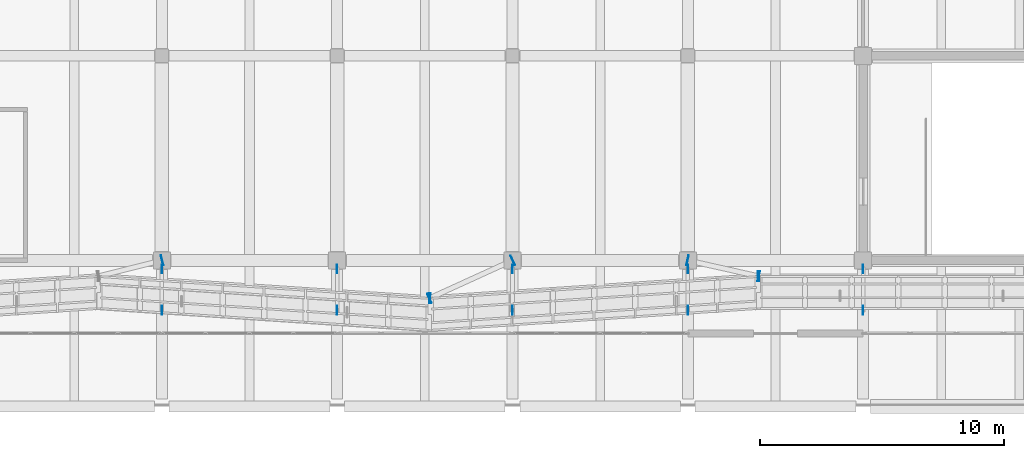
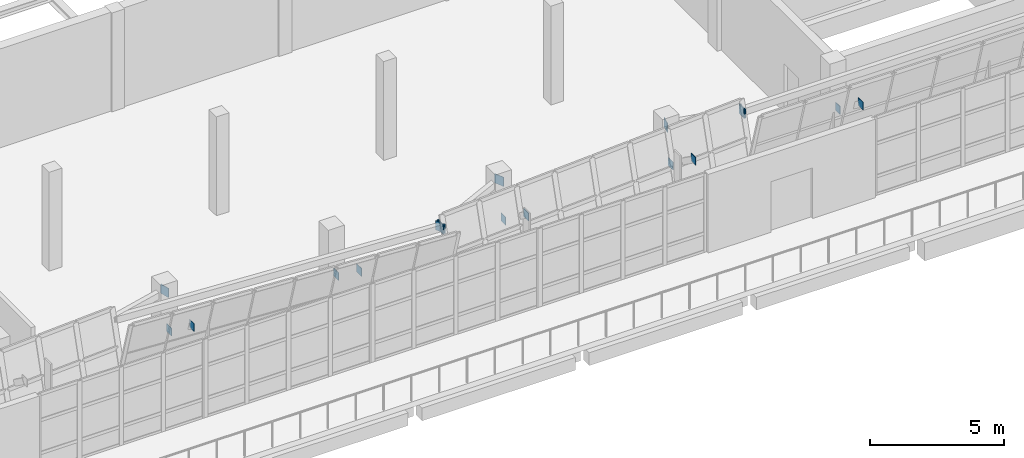
# One storey, part 47 of 67: 19 plates.
"""IFC4 building model written with IfcOpenShell, lengths in metres."""

from ifc_helpers import new_model, si_unit, direction, frame, origin, origin_2d, place, context, subcontext, project, spatial, rectangle, extrude, material, layer, layer_set, type_object, element, save


model = new_model("IFC4")

# Units and contexts
model_context = context("Model", 3, precision=1e-05, world=origin(), true_north=direction((0.0, 1.0)))
body_context = subcontext(model_context, "Body", "Model", "MODEL_VIEW")
ifc_project = project(units=[si_unit("LENGTHUNIT", "METRE"), si_unit("AREAUNIT", "SQUARE_METRE"), si_unit("VOLUMEUNIT", "CUBIC_METRE"), si_unit("PLANEANGLEUNIT", "RADIAN"), si_unit("MASSUNIT", "GRAM", prefix="KILO")], contexts=[model_context])

# Site, building, storey
site_placement = place(None, origin())
site = spatial("IfcSite", under=ifc_project, at=site_placement, CompositionType="ELEMENT")
building_placement = place(site_placement, origin())
building = spatial("IfcBuilding", under=site, at=building_placement, Name="Pellamere Symphony Hall", CompositionType="ELEMENT")
storey_placement = place(building_placement, frame((0.0, 0.0, 19.5)))
storey = spatial("IfcBuildingStorey", under=building, at=storey_placement, Name="L04", CompositionType="ELEMENT", Elevation=19.5)

# Plates
ifc_material = material(Name="Steel CSA G40.21 350W", Category="steel")
ifc_layer_1 = layer(ifc_material, 0.02490234375, Name="Steel CSA G40.21 350W")
ifc_layer_set_1 = layer_set([ifc_layer_1], Name="Steel CSA G40.21 350W")
plate_type_1 = type_object("IfcPlateType", Name="Steel Connection Plate KP-01 420x420x25", PredefinedType="SHEET", material=ifc_layer_set_1)
for number, where, z_axis, x_axis, name in (
    (1, (80.41162109375, 30.0029296875, 3.72998046875), (0.0, 0.0, 1.0), (-0.97012659649, -0.242599230795, 0.0), "Outrigger End Cap Plate 005.1 (L04)"),
    (2, (91.412109375, 28.44921875, 3.72998046875), (0.0, 0.0, 1.0), (0.997813020072, -0.066099750182, 0.0), "Crystal Spandrel End Cap Plate CW-CR03-2 (L04)"),
    (3, (94.810791015625, 30.0048828125, 3.72998046875), (0.0, 0.0, 1.0), (-0.909888879393, -0.414852054542, 0.0), "Outrigger End Cap Plate 007.1 (L04)"),
    (4, (91.38916015625, 28.445068359375, 3.72998046875), (0.0, 0.0, 1.0), (-0.909888879393, -0.414852054542, 0.0), "Outrigger End Cap Plate 007.2 (L04)"),
    (5, (91.387939453125, 28.44921875, 3.72998046875), (0.0, 0.0, 1.0), (0.997789886117, 0.066448048599, 0.0), "Crystal Spandrel End Cap Plate CW-CR04-1 (L04)"),
    (6, (104.912109375, 29.350830078125, 3.72998046875), (0.0, 0.0, 1.0), (0.997789886117, 0.066448048599, 0.0), "Crystal Spandrel End Cap Plate CW-CR04-2 (L04)"),
    (7, (101.98828125, 30.002685546875, 3.72998046875), (0.0, 0.0, 1.0), (0.975802408633, -0.218654200292, 0.0), "Outrigger End Cap Plate 009.1 (L04)"),
    (8, (104.91162109375, 29.347412109375, 3.72998046875), (0.0, 0.0, 1.0), (0.975802408633, -0.218654200292, 0.0), "Outrigger End Cap Plate 009.2 (L04)"),
    (9, (104.887939453125, 29.35009765625, 3.72998046875), (0.0, 0.0, 1.0), (1.0, 0.0, 0.0), "Crystal Spandrel End Cap Plate CW-CR05-1 (L04)"),
):
    element("IfcPlate", number, at=place(storey_placement, frame(where, z_axis=z_axis, x_axis=x_axis)), inside=storey, type_object=plate_type_1, Name=name, PredefinedType="SHEET", context=body_context, shape_type="SweptSolid", body=[
        extrude(rectangle(XDim=0.02490234375, YDim=0.419921875, at=origin_2d()), origin(), (0.0, 0.0, 1.0), 0.419921875),
    ])
ifc_layer_2 = layer(ifc_material, 0.02197265625, Name="Steel CSA G40.21 350W")
ifc_layer_set_2 = layer_set([ifc_layer_2], Name="Steel CSA G40.21 350W")
plate_type_2 = type_object("IfcPlateType", Name="Steel Connection Plate KP-02 360x360x22", PredefinedType="SHEET", material=ifc_layer_set_2)
for number, where, z_axis, x_axis, name in (
    (10, (80.39990234375, 29.64990234375, 2.19970703125), (0.0, 0.0, 1.0), (1.0, 0.0, 0.0), "Canopy Knee Strut Gusset Plate 4.1"),
    (11, (80.39990234375, 27.949951171875, 3.43017578125), (0.0, 0.0, 1.0), (1.0, 0.0, 0.0), "Canopy Knee Strut Gusset Plate 4.2"),
    (12, (87.60009765625, 29.64990234375, 2.19970703125), (0.0, 0.0, 1.0), (1.0, 0.0, 0.0), "Canopy Knee Strut Gusset Plate 5.1"),
    (13, (87.60009765625, 27.949951171875, 3.43017578125), (0.0, 0.0, 1.0), (1.0, 0.0, 0.0), "Canopy Knee Strut Gusset Plate 5.2"),
    (14, (94.800048828125, 29.64990234375, 2.19970703125), (0.0, 0.0, 1.0), (1.0, 0.0, 0.0), "Canopy Knee Strut Gusset Plate 6.1"),
    (15, (94.800048828125, 27.949951171875, 3.43017578125), (0.0, 0.0, 1.0), (1.0, 0.0, 0.0), "Canopy Knee Strut Gusset Plate 6.2"),
    (16, (102.0, 29.64990234375, 2.19970703125), (0.0, 0.0, 1.0), (1.0, 0.0, 0.0), "Canopy Knee Strut Gusset Plate 7.1"),
    (17, (102.0, 27.949951171875, 3.43017578125), (0.0, 0.0, 1.0), (1.0, 0.0, 0.0), "Canopy Knee Strut Gusset Plate 7.2"),
    (18, (109.199951171875, 29.64990234375, 2.19970703125), (0.0, 0.0, 1.0), (1.0, 0.0, 0.0), "Canopy Knee Strut Gusset Plate 8.1"),
    (19, (109.199951171875, 27.949951171875, 3.43017578125), (0.0, 0.0, 1.0), (1.0, 0.0, 0.0), "Canopy Knee Strut Gusset Plate 8.2"),
):
    element("IfcPlate", number, at=place(storey_placement, frame(where, z_axis=z_axis, x_axis=x_axis)), inside=storey, type_object=plate_type_2, Name=name, PredefinedType="SHEET", context=body_context, shape_type="SweptSolid", body=[
        extrude(rectangle(XDim=0.02197265625, YDim=0.360107421875, at=origin_2d()), origin(), (0.0, 0.0, 1.0), 0.360107421875),
    ])

save(model, "model.ifc")
